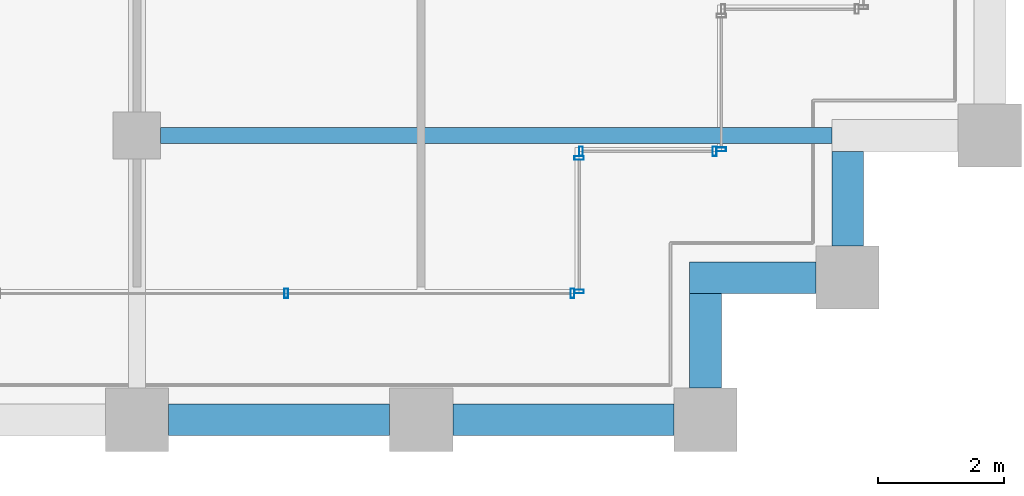
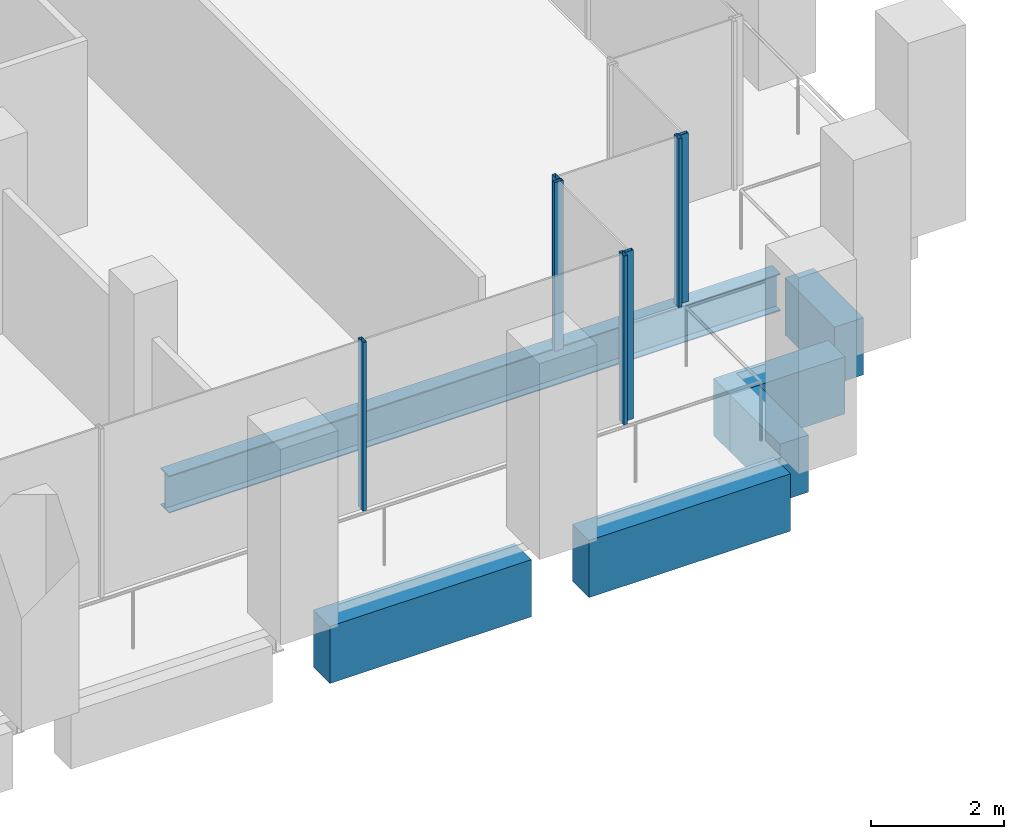
# One storey, part 12 of 46: 7 members, 6 beams, 4 elements without a shape of their own.
"""IFC4 building model written with IfcOpenShell, lengths in metres."""

from ifc_helpers import new_model, si_unit, direction, frame, origin, origin_2d, place, context, subcontext, project, spatial, rectangle, hollow_rectangle, i_section, extrude, material, material_profile, profile_set, type_object, element, aggregate, save


model = new_model("IFC4")

# Units and contexts
model_context = context("Model", 3, precision=1e-05, world=origin(), true_north=direction((0.0, 1.0)))
body_context = subcontext(model_context, "Body", "Model", "MODEL_VIEW")
ifc_project = project(units=[si_unit("LENGTHUNIT", "METRE"), si_unit("AREAUNIT", "SQUARE_METRE"), si_unit("VOLUMEUNIT", "CUBIC_METRE"), si_unit("PLANEANGLEUNIT", "RADIAN"), si_unit("MASSUNIT", "GRAM", prefix="KILO")], contexts=[model_context])

# Site, building, storey
site_placement = place(None, origin())
site = spatial("IfcSite", under=ifc_project, at=site_placement, CompositionType="ELEMENT")
building_placement = place(site_placement, origin())
building = spatial("IfcBuilding", under=site, at=building_placement, Name="Altepetl Exchange Towers", CompositionType="ELEMENT")
storey_placement = place(building_placement, frame((0.0, 0.0, 102.800048828125)))
storey = spatial("IfcBuildingStorey", under=building, at=storey_placement, Name="L25", CompositionType="ELEMENT", Elevation=102.800048828125)

# Beam
ifc_material_1 = material(Name="Steel S355", Category="steel")
ifc_material_profile_1 = material_profile(ifc_material_1, i_section(OverallWidth=0.25390625, OverallDepth=0.68408203125, WebThickness=0.012451171875, FlangeThickness=0.018798828125, at=origin_2d()), Name="W27X94")
ifc_profile_set_1 = profile_set([ifc_material_profile_1], Name="Steel S355")
beam_type_1 = type_object("IfcBeamType", Name="Floor beam W27X94", PredefinedType="BEAM", material=ifc_profile_set_1)
beam_1_placement = place(storey_placement, frame((58.875, 31.5, -0.491943359375), z_axis=(1.0, 0.0, 0.0), x_axis=(0.0, 1.0, 0.0)))
element("IfcBeam", 1, at=beam_1_placement, inside=storey, type_object=beam_type_1, Name="bm:A:L25:006", PredefinedType="BEAM", context=body_context, shape_type="SweptSolid", body=[
    extrude(i_section(OverallWidth=0.25390625, OverallDepth=0.68408203125, WebThickness=0.012451171875, FlangeThickness=0.018798828125, at=origin_2d()), origin(), (0.0, 0.0, 1.0), 10.625),
])

# Curtain wall, members
ifc_material_2 = material(Name="Aluminium 6063-T6 glazing", Category="aluminium")
curtain_wall_type = type_object("IfcCurtainWallType", Name="Loggia glazing system", PredefinedType="NOTDEFINED", material=ifc_material_2)
curtain_wall_1_placement = place(storey_placement, origin())
curtain_wall_1 = element("IfcCurtainWall", 2, at=curtain_wall_1_placement, inside=storey, type_object=curtain_wall_type, Name="CW1 run", PredefinedType="NOTDEFINED")
ifc_material_3 = material(Name="Aluminium 6063-T6", Category="aluminium")
ifc_material_profile_2 = material_profile(ifc_material_3, hollow_rectangle(XDim=0.06005859375, YDim=0.14990234375, WallThickness=0.0029296875, at=origin_2d()), Name="Mullion 60x150 aluminium")
ifc_profile_set_2 = profile_set([ifc_material_profile_2], Name="Aluminium 6063-T6")
member_type = type_object("IfcMemberType", Name="Mullion 60x150 aluminium", PredefinedType="MULLION", material=ifc_profile_set_2)
member_1_placement = place(storey_placement, frame((60.8642578125, 29.0, 0.0)))
member_1 = element("IfcMember", 3, at=member_1_placement, type_object=member_type, Name="MU1 mullion", PredefinedType="MULLION", context=body_context, shape_type="SweptSolid", body=[
    extrude(hollow_rectangle(XDim=0.06005859375, YDim=0.14990234375, WallThickness=0.0029296875, at=origin_2d()), origin(), (0.0, 0.0, 1.0), 3.099853515625),
])
member_2_placement = place(storey_placement, frame((65.39501953125, 29.0, 0.0)))
member_2 = element("IfcMember", 4, at=member_2_placement, type_object=member_type, Name="MU1 mullion", PredefinedType="MULLION", context=body_context, shape_type="SweptSolid", body=[
    extrude(hollow_rectangle(XDim=0.06005859375, YDim=0.14990234375, WallThickness=0.0029296875, at=origin_2d()), origin(), (0.0, 0.0, 1.0), 3.099853515625),
])
aggregate(curtain_wall_1, [member_1, member_2])

curtain_wall_2_placement = place(storey_placement, origin())
curtain_wall_2 = element("IfcCurtainWall", 5, at=curtain_wall_2_placement, inside=storey, type_object=curtain_wall_type, Name="CW1 run", PredefinedType="NOTDEFINED")
member_3_placement = place(storey_placement, frame((65.5, 29.030029296875, 0.0), z_axis=(0.0, 0.0, 1.0), x_axis=(0.0, 1.0, 0.0)))
member_3 = element("IfcMember", 6, at=member_3_placement, type_object=member_type, Name="MU1 mullion", PredefinedType="MULLION", context=body_context, shape_type="SweptSolid", body=[
    extrude(hollow_rectangle(XDim=0.06005859375, YDim=0.14990234375, WallThickness=0.0029296875, at=origin_2d()), origin(), (0.0, 0.0, 1.0), 3.099853515625),
])
member_4_placement = place(storey_placement, frame((65.5, 31.14501953125, 0.0), z_axis=(0.0, 0.0, 1.0), x_axis=(0.0, 1.0, 0.0)))
member_4 = element("IfcMember", 7, at=member_4_placement, type_object=member_type, Name="MU1 mullion", PredefinedType="MULLION", context=body_context, shape_type="SweptSolid", body=[
    extrude(hollow_rectangle(XDim=0.06005859375, YDim=0.14990234375, WallThickness=0.0029296875, at=origin_2d()), origin(), (0.0, 0.0, 1.0), 3.099853515625),
])
aggregate(curtain_wall_2, [member_3, member_4])

curtain_wall_3_placement = place(storey_placement, origin())
curtain_wall_3 = element("IfcCurtainWall", 8, at=curtain_wall_3_placement, inside=storey, type_object=curtain_wall_type, Name="CW1 run", PredefinedType="NOTDEFINED")
member_5_placement = place(storey_placement, frame((65.530029296875, 31.25, 0.0)))
member_5 = element("IfcMember", 9, at=member_5_placement, type_object=member_type, Name="MU1 mullion", PredefinedType="MULLION", context=body_context, shape_type="SweptSolid", body=[
    extrude(hollow_rectangle(XDim=0.06005859375, YDim=0.14990234375, WallThickness=0.0029296875, at=origin_2d()), origin(), (0.0, 0.0, 1.0), 3.099853515625),
])
member_6_placement = place(storey_placement, frame((67.64501953125, 31.25, 0.0)))
member_6 = element("IfcMember", 10, at=member_6_placement, type_object=member_type, Name="MU1 mullion", PredefinedType="MULLION", context=body_context, shape_type="SweptSolid", body=[
    extrude(hollow_rectangle(XDim=0.06005859375, YDim=0.14990234375, WallThickness=0.0029296875, at=origin_2d()), origin(), (0.0, 0.0, 1.0), 3.099853515625),
])
aggregate(curtain_wall_3, [member_5, member_6])

# Curtain wall, member
curtain_wall_4_placement = place(storey_placement, origin())
curtain_wall_4 = element("IfcCurtainWall", 11, at=curtain_wall_4_placement, inside=storey, type_object=curtain_wall_type, Name="CW1 run", PredefinedType="NOTDEFINED")
member_7_placement = place(storey_placement, frame((67.75, 31.280029296875, 0.0), z_axis=(0.0, 0.0, 1.0), x_axis=(0.0, 1.0, 0.0)))
member_7 = element("IfcMember", 12, at=member_7_placement, type_object=member_type, Name="MU1 mullion", PredefinedType="MULLION", context=body_context, shape_type="SweptSolid", body=[
    extrude(hollow_rectangle(XDim=0.06005859375, YDim=0.14990234375, WallThickness=0.0029296875, at=origin_2d()), origin(), (0.0, 0.0, 1.0), 3.099853515625),
])
aggregate(curtain_wall_4, [member_7])

# Beams
ifc_material_4 = material(Name="Concrete C50/60 precast with cantera amarilla facing", Category="concrete")
ifc_material_profile_3 = material_profile(ifc_material_4, rectangle(XDim=0.5, YDim=1.050048828125, at=origin_2d()), Name="500 x 1050")
ifc_profile_set_3 = profile_set([ifc_material_profile_3], Name="Concrete C50/60 precast with cantera amarilla facing")
beam_type_2 = type_object("IfcBeamType", Name="Spandrel beam 500x1050 cantera amarilla", PredefinedType="SPANDREL", material=ifc_profile_set_3)
for number, where, z_axis, x_axis, name in (
    (13, (59.0, 27.0, -0.675048828125), (1.0, 0.0, 0.0), (0.0, 1.0, 0.0), "sp:A:L25:006"),
    (14, (63.5, 27.0, -0.675048828125), (1.0, 0.0, 0.0), (0.0, 1.0, 0.0), "sp:A:L25:007"),
):
    element("IfcBeam", number, at=place(storey_placement, frame(where, z_axis=z_axis, x_axis=x_axis)), inside=storey, type_object=beam_type_2, Name=name, PredefinedType="SPANDREL", context=body_context, shape_type="SweptSolid", body=[
        extrude(rectangle(XDim=0.5, YDim=1.050048828125, at=origin_2d()), origin(), (0.0, 0.0, 1.0), 3.5),
    ])
beam_2_placement = place(storey_placement, frame((67.5, 27.5, -0.675048828125), z_axis=(0.0, 1.0, 0.0), x_axis=(-1.0, 0.0, 0.0)))
element("IfcBeam", 15, at=beam_2_placement, inside=storey, type_object=beam_type_2, Name="sp:A:L25:008", PredefinedType="SPANDREL", context=body_context, shape_type="SweptSolid", body=[
    extrude(rectangle(XDim=0.5, YDim=1.050048828125, at=origin_2d()), origin(), (0.0, 0.0, 1.0), 1.5),
])
beam_3_placement = place(storey_placement, frame((67.25, 29.25, -0.675048828125), z_axis=(1.0, 0.0, 0.0), x_axis=(0.0, 1.0, 0.0)))
element("IfcBeam", 16, at=beam_3_placement, inside=storey, type_object=beam_type_2, Name="sp:A:L25:009", PredefinedType="SPANDREL", context=body_context, shape_type="SweptSolid", body=[
    extrude(rectangle(XDim=0.5, YDim=1.050048828125, at=origin_2d()), origin(), (0.0, 0.0, 1.0), 2.0),
])
beam_4_placement = place(storey_placement, frame((69.75, 29.75, -0.675048828125), z_axis=(0.0, 1.0, 0.0), x_axis=(-1.0, 0.0, 0.0)))
element("IfcBeam", 17, at=beam_4_placement, inside=storey, type_object=beam_type_2, Name="sp:A:L25:010", PredefinedType="SPANDREL", context=body_context, shape_type="SweptSolid", body=[
    extrude(rectangle(XDim=0.5, YDim=1.050048828125, at=origin_2d()), origin(), (0.0, 0.0, 1.0), 1.5),
])

save(model, "model.ifc")
